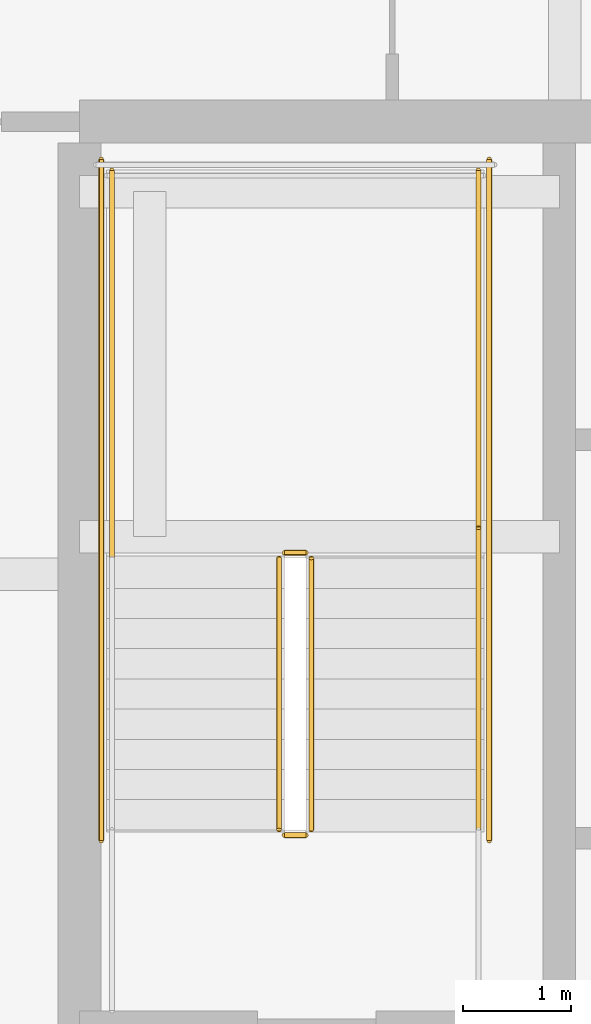
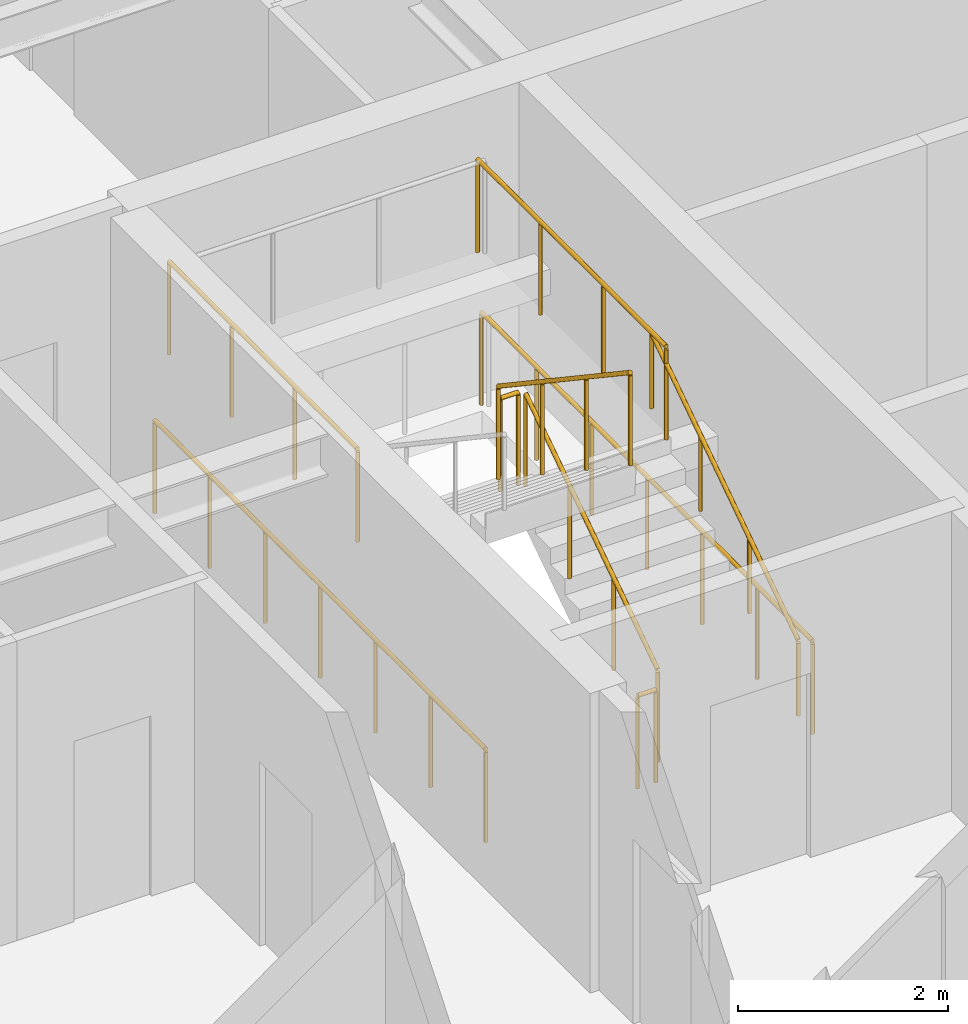
# One storey, part 34 of 37: 9 railings.
"""IFC4 building model written with IfcOpenShell, lengths in metres."""

from ifc_helpers import new_model, si_unit, direction, frame, origin, origin_2d, place, context, subcontext, project, spatial, circle, extrude, material, type_object, element, save


model = new_model("IFC4")

# Units and contexts
model_context = context("Model", 3, precision=1e-05, world=origin(), true_north=direction((0.0, 1.0)))
body_context = subcontext(model_context, "Body", "Model", "MODEL_VIEW")
ifc_project = project(units=[si_unit("LENGTHUNIT", "METRE"), si_unit("AREAUNIT", "SQUARE_METRE"), si_unit("VOLUMEUNIT", "CUBIC_METRE"), si_unit("PLANEANGLEUNIT", "RADIAN"), si_unit("MASSUNIT", "GRAM", prefix="KILO")], contexts=[model_context])

# Site, building, storey
site_placement = place(None, origin())
site = spatial("IfcSite", under=ifc_project, at=site_placement, CompositionType="ELEMENT")
building_placement = place(site_placement, origin())
building = spatial("IfcBuilding", under=site, at=building_placement, Name="Serunith Strait Residences", CompositionType="ELEMENT")
storey_placement = place(building_placement, frame((0.0, 0.0, 127.64990234375)))
storey = spatial("IfcBuildingStorey", under=building, at=storey_placement, Name="L31", CompositionType="ELEMENT", Elevation=127.64990234375)

# Railings
ifc_material = material(Name="Brushed stainless steel 316L", Category="steel")
railing_type_1 = type_object("IfcRailingType", Name="RLG-STAIR-GUARD", PredefinedType="BALUSTRADE", material=ifc_material)
railing_1_placement = place(storey_placement, frame((25.550048828125, 27.030029296875, 0.1875)))
element("IfcRailing", 1, at=railing_1_placement, inside=storey, type_object=railing_type_1, Name="L31 ST-1 stair guard 1", PredefinedType="BALUSTRADE", context=body_context, shape_type="SweptSolid", body=[
    extrude(circle(Radius=0.02392578125, at=origin_2d()), frame((0.0, 0.001708984375, 1.0771484375), z_axis=(0.0, 0.830909170722, 0.55640807867), x_axis=(-1.0, 0.0, 0.0)), (0.0, 0.0, 1.0), 3.02880859375),
    extrude(circle(Radius=0.02099609375, at=origin_2d()), origin(), (0.0, 0.0, 1.0), 1.050048828125),
    extrude(circle(Radius=0.02099609375, at=origin_2d()), frame((0.0, 0.840087890625, 0.5625)), (0.0, 0.0, 1.0), 1.050048828125),
    extrude(circle(Radius=0.02099609375, at=origin_2d()), frame((0.0, 1.679931640625, 1.125)), (0.0, 0.0, 1.0), 1.050048828125),
    extrude(circle(Radius=0.02099609375, at=origin_2d()), frame((0.0, 2.52001953125, 1.6875)), (0.0, 0.0, 1.0), 1.050048828125),
])
railing_2_placement = place(storey_placement, frame((25.5, 29.60009765625, 1.875)))
element("IfcRailing", 2, at=railing_2_placement, inside=storey, type_object=railing_type_1, Name="L31 ST-1 stair guard 2", PredefinedType="BALUSTRADE", context=body_context, shape_type="SweptSolid", body=[
    extrude(circle(Radius=0.02392578125, at=origin_2d()), frame((-0.001953125, 0.0, 1.076171875), z_axis=(-1.0, 0.0, 0.0), x_axis=(0.0, -1.0, 0.0)), (0.0, 0.0, 1.0), 0.196044921875),
    extrude(circle(Radius=0.02099609375, at=origin_2d()), origin(), (0.0, 0.0, 1.0), 1.050048828125),
    extrude(circle(Radius=0.02099609375, at=origin_2d()), frame((-0.199951171875, 0.0, 0.0)), (0.0, 0.0, 1.0), 1.050048828125),
])
for number, where, name in (
    (3, (27.10009765625, 29.550048828125, 1.875), "L31 ST-1 stair guard 3"),
    (4, (23.699951171875, 29.550048828125, 1.875), "L31 ST-1 stair guard 4"),
):
    element("IfcRailing", number, at=place(storey_placement, frame(where)), inside=storey, type_object=railing_type_1, Name=name, PredefinedType="BALUSTRADE", context=body_context, shape_type="SweptSolid", body=[
        extrude(circle(Radius=0.02392578125, at=origin_2d()), frame((0.0, 0.001953125, 1.076171875), z_axis=(0.0, 1.0, 0.0), x_axis=(-1.0, 0.0, 0.0)), (0.0, 0.0, 1.0), 3.595947265625),
        extrude(circle(Radius=0.02099609375, at=origin_2d()), origin(), (0.0, 0.0, 1.0), 1.050048828125),
        extrude(circle(Radius=0.02099609375, at=origin_2d()), frame((0.0, 1.199951171875, 0.0)), (0.0, 0.0, 1.0), 1.050048828125),
        extrude(circle(Radius=0.02099609375, at=origin_2d()), frame((0.0, 2.39990234375, 0.0)), (0.0, 0.0, 1.0), 1.050048828125),
        extrude(circle(Radius=0.02099609375, at=origin_2d()), frame((0.0, 3.599853515625, 0.0)), (0.0, 0.0, 1.0), 1.050048828125),
    ])
railing_3_placement = place(storey_placement, frame((25.25, 29.550048828125, 2.0625)))
element("IfcRailing", 5, at=railing_3_placement, inside=storey, type_object=railing_type_1, Name="L31 ST-1 stair guard 6", PredefinedType="BALUSTRADE", context=body_context, shape_type="SweptSolid", body=[
    extrude(circle(Radius=0.02392578125, at=origin_2d()), frame((0.0, -0.001708984375, 1.0771484375), z_axis=(0.0, -0.830909170722, 0.55640807867), x_axis=(1.0, 0.0, 0.0)), (0.0, 0.0, 1.0), 3.02880859375),
    extrude(circle(Radius=0.02099609375, at=origin_2d()), origin(), (0.0, 0.0, 1.0), 1.050048828125),
    extrude(circle(Radius=0.02099609375, at=origin_2d()), frame((0.0, -0.840087890625, 0.5625)), (0.0, 0.0, 1.0), 1.050048828125),
    extrude(circle(Radius=0.02099609375, at=origin_2d()), frame((0.0, -1.679931640625, 1.125)), (0.0, 0.0, 1.0), 1.050048828125),
    extrude(circle(Radius=0.02099609375, at=origin_2d()), frame((0.0, -2.52001953125, 1.6875)), (0.0, 0.0, 1.0), 1.050048828125),
])
railing_4_placement = place(storey_placement, frame((25.5, 26.97998046875, 0.0)))
element("IfcRailing", 6, at=railing_4_placement, inside=storey, type_object=railing_type_1, Name="L31 ST-1 stair guard 7", PredefinedType="BALUSTRADE", context=body_context, shape_type="SweptSolid", body=[
    extrude(circle(Radius=0.02392578125, at=origin_2d()), frame((-0.001953125, 0.0, 1.076171875), z_axis=(-1.0, 0.0, 0.0), x_axis=(0.0, -1.0, 0.0)), (0.0, 0.0, 1.0), 0.196044921875),
    extrude(circle(Radius=0.02099609375, at=origin_2d()), origin(), (0.0, 0.0, 1.0), 1.050048828125),
    extrude(circle(Radius=0.02099609375, at=origin_2d()), frame((-0.199951171875, 0.0, 0.0)), (0.0, 0.0, 1.0), 1.050048828125),
])
for number, where, name in (
    (7, (27.199951171875, 26.929931640625, 0.0), "L31 ST-1 stair guard 10"),
    (8, (23.60009765625, 26.929931640625, 0.0), "L31 ST-1 stair guard 11"),
):
    element("IfcRailing", number, at=place(storey_placement, frame(where)), inside=storey, type_object=railing_type_1, Name=name, PredefinedType="BALUSTRADE", context=body_context, shape_type="SweptSolid", body=[
        extrude(circle(Radius=0.02392578125, at=origin_2d()), frame((0.0, 0.001953125, 1.076171875), z_axis=(0.0, 1.0, 0.0), x_axis=(-1.0, 0.0, 0.0)), (0.0, 0.0, 1.0), 6.316162109375),
        extrude(circle(Radius=0.02099609375, at=origin_2d()), origin(), (0.0, 0.0, 1.0), 1.050048828125),
        extrude(circle(Radius=0.02099609375, at=origin_2d()), frame((0.0, 1.05322265625, 0.0)), (0.0, 0.0, 1.0), 1.050048828125),
        extrude(circle(Radius=0.02099609375, at=origin_2d()), frame((0.0, 2.106689453125, 0.0)), (0.0, 0.0, 1.0), 1.050048828125),
        extrude(circle(Radius=0.02099609375, at=origin_2d()), frame((0.0, 3.16015625, 0.0)), (0.0, 0.0, 1.0), 1.050048828125),
        extrude(circle(Radius=0.02099609375, at=origin_2d()), frame((0.0, 4.21337890625, 0.0)), (0.0, 0.0, 1.0), 1.050048828125),
        extrude(circle(Radius=0.02099609375, at=origin_2d()), frame((0.0, 5.2666015625, 0.0)), (0.0, 0.0, 1.0), 1.050048828125),
        extrude(circle(Radius=0.02099609375, at=origin_2d()), frame((0.0, 6.320068359375, 0.0)), (0.0, 0.0, 1.0), 1.050048828125),
    ])
railing_type_2 = type_object("IfcRailingType", Name="RLG-STAIR-HR", PredefinedType="HANDRAIL", material=ifc_material)
railing_5_placement = place(storey_placement, frame((27.10009765625, 27.030029296875, 0.1875)))
element("IfcRailing", 9, at=railing_5_placement, inside=storey, type_object=railing_type_2, Name="L31 ST-1 stair handrail 1", PredefinedType="HANDRAIL", context=body_context, shape_type="SweptSolid", body=[
    extrude(circle(Radius=0.02392578125, at=origin_2d()), frame((0.0, 0.001708984375, 0.876953125), z_axis=(0.0, 0.830208209119, 0.557453432594), x_axis=(-1.0, 0.0, 0.0)), (0.0, 0.0, 1.0), 3.36865234375),
    extrude(circle(Radius=0.02099609375, at=origin_2d()), origin(), (0.0, 0.0, 1.0), 0.849853515625),
    extrude(circle(Radius=0.02099609375, at=origin_2d()), frame((0.0, 0.933349609375, 0.626708984375)), (0.0, 0.0, 1.0), 0.849853515625),
    extrude(circle(Radius=0.02099609375, at=origin_2d()), frame((0.0, 1.86669921875, 1.25341796875)), (0.0, 0.0, 1.0), 0.849853515625),
    extrude(circle(Radius=0.02099609375, at=origin_2d()), frame((0.0, 2.800048828125, 1.880126953125)), (0.0, 0.0, 1.0), 0.849853515625),
])

save(model, "model.ifc")
